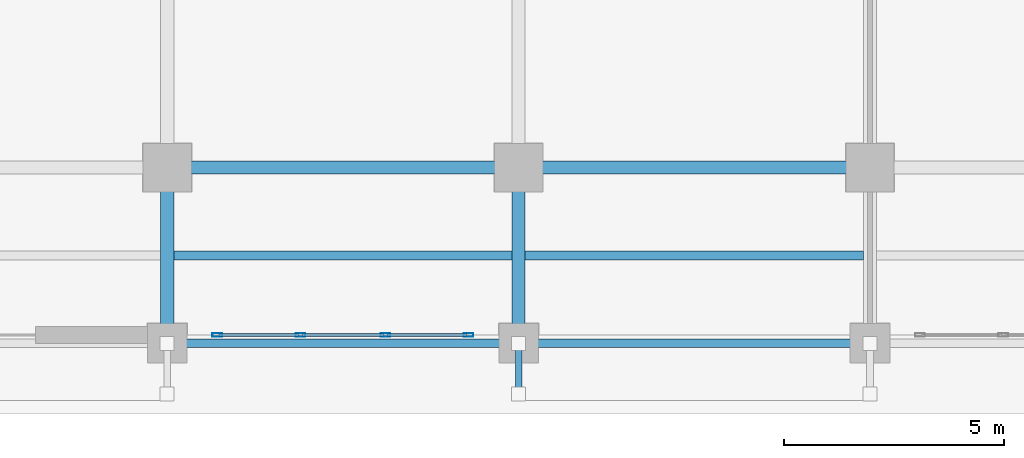
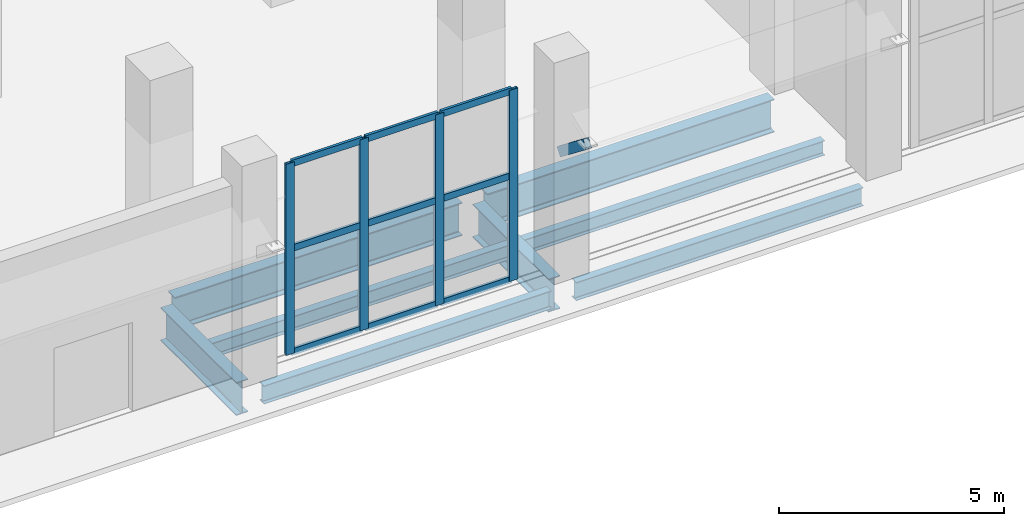
# One storey, part 6 of 19: 14 members, 8 beams, 1 element without a shape of its own.
"""IFC4 building model written with IfcOpenShell, lengths in metres."""

from ifc_helpers import new_model, si_unit, direction, frame, origin, origin_2d, place, context, subcontext, project, spatial, hollow_rectangle, i_section, extrude, material, layer, layer_set, material_profile, profile_set, type_object, element, aggregate, save


model = new_model("IFC4")

# Units and contexts
model_context = context("Model", 3, precision=1e-05, world=origin(), true_north=direction((0.0, 1.0)))
body_context = subcontext(model_context, "Body", "Model", "MODEL_VIEW")
ifc_project = project(units=[si_unit("LENGTHUNIT", "METRE"), si_unit("AREAUNIT", "SQUARE_METRE"), si_unit("VOLUMEUNIT", "CUBIC_METRE"), si_unit("PLANEANGLEUNIT", "RADIAN"), si_unit("MASSUNIT", "GRAM", prefix="KILO")], contexts=[model_context])

# Site, building, storey
site_placement = place(None, origin())
site = spatial("IfcSite", under=ifc_project, at=site_placement, CompositionType="ELEMENT")
building_placement = place(site_placement, origin())
building = spatial("IfcBuilding", under=site, at=building_placement, Name="Qianrong Seaharbour Tower", CompositionType="ELEMENT")
storey_placement = place(building_placement, origin())
storey = spatial("IfcBuildingStorey", under=building, at=storey_placement, Name="L01", CompositionType="ELEMENT", Elevation=0.0)

# Beams
ifc_material_1 = material(Name="Structural steel SN490B", Category="steel")
ifc_material_profile_1 = material_profile(ifc_material_1, i_section(OverallWidth=0.300048828125, OverallDepth=0.89990234375, WebThickness=0.01611328125, FlangeThickness=0.028076171875, FilletRadius=0.028076171875, at=origin_2d()), Name="H900x300x16x28")
ifc_profile_set_1 = profile_set([ifc_material_profile_1], Name="Structural steel SN490B")
beam_type_1 = type_object("IfcBeamType", Name="BM-G-900", PredefinedType="BEAM", material=ifc_profile_set_1)
for number, where, z_axis, x_axis, name in (
    (1, (32.820068359375, 4.0, -0.8701171875), (1.0, 0.0, 0.0), (0.0, 1.0, 0.0), "L01 Primary Girder GB G5-G6"),
    (2, (40.820068359375, 4.0, -0.8701171875), (1.0, 0.0, 0.0), (0.0, 1.0, 0.0), "L01 Primary Girder GB G6-G7"),
):
    element("IfcBeam", number, at=place(storey_placement, frame(where, z_axis=z_axis, x_axis=x_axis)), inside=storey, type_object=beam_type_1, Name=name, PredefinedType="BEAM", context=body_context, shape_type="SweptSolid", body=[
        extrude(i_section(OverallWidth=0.300048828125, OverallDepth=0.89990234375, WebThickness=0.01611328125, FlangeThickness=0.028076171875, FilletRadius=0.028076171875, at=origin_2d()), origin(), (0.0, 0.0, 1.0), 7.35986328125),
    ])
for number, where, z_axis, x_axis, name in (
    (3, (32.5, 0.320068359375, -0.8701171875), (0.0, 1.0, 0.0), (-1.0, 0.0, 0.0), "L01 Primary Girder G5 GA-GB"),
    (4, (40.5, 0.320068359375, -0.8701171875), (0.0, 1.0, 0.0), (-1.0, 0.0, 0.0), "L01 Primary Girder G6 GA-GB"),
):
    element("IfcBeam", number, at=place(storey_placement, frame(where, z_axis=z_axis, x_axis=x_axis)), inside=storey, type_object=beam_type_1, Name=name, PredefinedType="BEAM", context=body_context, shape_type="SweptSolid", body=[
        extrude(i_section(OverallWidth=0.300048828125, OverallDepth=0.89990234375, WebThickness=0.01611328125, FlangeThickness=0.028076171875, FilletRadius=0.028076171875, at=origin_2d()), origin(), (0.0, 0.0, 1.0), 3.35986328125),
    ])
ifc_material_2 = material(Name="Structural steel SN400B", Category="steel")
ifc_material_profile_2 = material_profile(ifc_material_2, i_section(OverallWidth=0.199951171875, OverallDepth=0.39990234375, WebThickness=0.008056640625, FlangeThickness=0.012939453125, FilletRadius=0.01611328125, at=origin_2d()), Name="H400x200x8x13")
ifc_profile_set_2 = profile_set([ifc_material_profile_2], Name="Structural steel SN400B")
beam_type_2 = type_object("IfcBeamType", Name="BM-J-400", PredefinedType="JOIST", material=ifc_profile_set_2)
for number, where, z_axis, x_axis, name in (
    (5, (32.64990234375, 2.0, -0.6201171875), (1.0, 0.0, 0.0), (0.0, 1.0, 0.0), "L01 Composite Floor Joist G5-G6/GA-GB"),
    (6, (40.64990234375, 2.0, -0.6201171875), (1.0, 0.0, 0.0), (0.0, 1.0, 0.0), "L01 Composite Floor Joist G6-G7/GA-GB"),
):
    element("IfcBeam", number, at=place(storey_placement, frame(where, z_axis=z_axis, x_axis=x_axis)), inside=storey, type_object=beam_type_2, Name=name, PredefinedType="JOIST", context=body_context, shape_type="SweptSolid", body=[
        extrude(i_section(OverallWidth=0.199951171875, OverallDepth=0.39990234375, WebThickness=0.008056640625, FlangeThickness=0.012939453125, FilletRadius=0.01611328125, at=origin_2d()), origin(), (0.0, 0.0, 1.0), 7.7001953125),
    ])
ifc_material_profile_3 = material_profile(ifc_material_1, i_section(OverallWidth=0.199951171875, OverallDepth=0.5, WebThickness=0.010009765625, FlangeThickness=0.01611328125, FilletRadius=0.02001953125, at=origin_2d()), Name="H500x200x10x16")
ifc_profile_set_3 = profile_set([ifc_material_profile_3], Name="Structural steel SN490B")
beam_type_3 = type_object("IfcBeamType", Name="BM-SP-500", PredefinedType="SPANDREL", material=ifc_profile_set_3)
for number, where, z_axis, x_axis, name in (
    (7, (32.820068359375, 0.0, -0.669921875), (1.0, 0.0, 0.0), (0.0, 1.0, 0.0), "L01 Spandrel Girder GA G5-G6"),
    (8, (40.820068359375, 0.0, -0.669921875), (1.0, 0.0, 0.0), (0.0, 1.0, 0.0), "L01 Spandrel Girder GA G6-G7"),
):
    element("IfcBeam", number, at=place(storey_placement, frame(where, z_axis=z_axis, x_axis=x_axis)), inside=storey, type_object=beam_type_3, Name=name, PredefinedType="SPANDREL", context=body_context, shape_type="SweptSolid", body=[
        extrude(i_section(OverallWidth=0.199951171875, OverallDepth=0.5, WebThickness=0.010009765625, FlangeThickness=0.01611328125, FilletRadius=0.02001953125, at=origin_2d()), origin(), (0.0, 0.0, 1.0), 7.35986328125),
    ])

# Curtain wall, members
ifc_material_3 = material(Name="Anodised aluminium 6063-T6 and laminated low-e glass", Category="aluminium")
ifc_layer = layer(ifc_material_3, 0.219970703125)
ifc_layer_set = layer_set([ifc_layer], Name="Anodised aluminium 6063-T6 and laminated low-e glass")
curtain_wall_type = type_object("IfcCurtainWallType", Name="CW-SYS-1", PredefinedType="NOTDEFINED", material=ifc_layer_set)
curtain_wall_placement = place(storey_placement, origin())
curtain_wall = element("IfcCurtainWall", 9, at=curtain_wall_placement, inside=storey, type_object=curtain_wall_type, Name="L01 Waterfront Colonnade Curtain Wall Bay 3", PredefinedType="NOTDEFINED")
ifc_material_4 = material(Name="Extruded aluminium 6063-T6", Category="aluminium")
ifc_material_profile_4 = material_profile(ifc_material_4, hollow_rectangle(XDim=0.080078125, YDim=0.219970703125, WallThickness=0.0048828125, at=origin_2d()), Name="ALU-MUL-220x80x5")
ifc_profile_set_4 = profile_set([ifc_material_profile_4], Name="Extruded aluminium 6063-T6")
member_type_1 = type_object("IfcMemberType", Name="CW-MUL-220", PredefinedType="MULLION", material=ifc_profile_set_4)
member_1_placement = place(storey_placement, frame((39.360107421875, 0.18994140625, 0.0), z_axis=(0.0, 0.0, 1.0), x_axis=(0.0, -1.0, 0.0)))
member_1 = element("IfcMember", 10, at=member_1_placement, type_object=member_type_1, Name="CW-1 mullion 1", PredefinedType="MULLION", context=body_context, shape_type="SweptSolid", body=[
    extrude(hollow_rectangle(XDim=0.080078125, YDim=0.219970703125, WallThickness=0.0048828125, at=origin_2d()), origin(), (0.0, 0.0, 1.0), 5.179931640625),
])
member_2_placement = place(storey_placement, frame((37.466552734375, 0.18994140625, 0.0), z_axis=(0.0, 0.0, 1.0), x_axis=(0.0, -1.0, 0.0)))
member_2 = element("IfcMember", 11, at=member_2_placement, type_object=member_type_1, Name="CW-1 mullion 2", PredefinedType="MULLION", context=body_context, shape_type="SweptSolid", body=[
    extrude(hollow_rectangle(XDim=0.080078125, YDim=0.219970703125, WallThickness=0.0048828125, at=origin_2d()), origin(), (0.0, 0.0, 1.0), 5.179931640625),
])
member_3_placement = place(storey_placement, frame((35.533447265625, 0.18994140625, 0.0), z_axis=(0.0, 0.0, 1.0), x_axis=(0.0, -1.0, 0.0)))
member_3 = element("IfcMember", 12, at=member_3_placement, type_object=member_type_1, Name="CW-1 mullion 3", PredefinedType="MULLION", context=body_context, shape_type="SweptSolid", body=[
    extrude(hollow_rectangle(XDim=0.080078125, YDim=0.219970703125, WallThickness=0.0048828125, at=origin_2d()), origin(), (0.0, 0.0, 1.0), 5.179931640625),
])
member_4_placement = place(storey_placement, frame((33.639892578125, 0.18994140625, 0.0), z_axis=(0.0, 0.0, 1.0), x_axis=(0.0, -1.0, 0.0)))
member_4 = element("IfcMember", 13, at=member_4_placement, type_object=member_type_1, Name="CW-1 mullion 4", PredefinedType="MULLION", context=body_context, shape_type="SweptSolid", body=[
    extrude(hollow_rectangle(XDim=0.080078125, YDim=0.219970703125, WallThickness=0.0048828125, at=origin_2d()), origin(), (0.0, 0.0, 1.0), 5.179931640625),
])
ifc_material_profile_5 = material_profile(ifc_material_4, hollow_rectangle(XDim=0.070068359375, YDim=0.179931640625, WallThickness=0.00390625, at=origin_2d()), Name="ALU-TRN-180x70x4")
ifc_profile_set_5 = profile_set([ifc_material_profile_5], Name="Extruded aluminium 6063-T6")
member_type_2 = type_object("IfcMemberType", Name="CW-TRN-180", PredefinedType="USERDEFINED", material=ifc_profile_set_5)
member_5_placement = place(storey_placement, frame((39.320068359375, 0.18994140625, 0.034912109375), z_axis=(-1.0, 0.0, 0.0), x_axis=(0.0, -1.0, 0.0)))
member_5 = element("IfcMember", 14, at=member_5_placement, type_object=member_type_2, Name="CW-1 transom 1.1", ObjectType="TRANSOM", PredefinedType="USERDEFINED", context=body_context, shape_type="SweptSolid", body=[
    extrude(hollow_rectangle(XDim=0.070068359375, YDim=0.179931640625, WallThickness=0.00390625, at=origin_2d()), origin(), (0.0, 0.0, 1.0), 1.8134765625),
])
member_6_placement = place(storey_placement, frame((39.320068359375, 0.18994140625, 2.84912109375), z_axis=(-1.0, 0.0, 0.0), x_axis=(0.0, -1.0, 0.0)))
member_6 = element("IfcMember", 15, at=member_6_placement, type_object=member_type_2, Name="CW-1 transom 1.2", ObjectType="TRANSOM", PredefinedType="USERDEFINED", context=body_context, shape_type="SweptSolid", body=[
    extrude(hollow_rectangle(XDim=0.070068359375, YDim=0.179931640625, WallThickness=0.00390625, at=origin_2d()), origin(), (0.0, 0.0, 1.0), 1.8134765625),
])
member_7_placement = place(storey_placement, frame((39.320068359375, 0.18994140625, 5.14501953125), z_axis=(-1.0, 0.0, 0.0), x_axis=(0.0, -1.0, 0.0)))
member_7 = element("IfcMember", 16, at=member_7_placement, type_object=member_type_2, Name="CW-1 transom 1.3", ObjectType="TRANSOM", PredefinedType="USERDEFINED", context=body_context, shape_type="SweptSolid", body=[
    extrude(hollow_rectangle(XDim=0.070068359375, YDim=0.179931640625, WallThickness=0.00390625, at=origin_2d()), origin(), (0.0, 0.0, 1.0), 1.8134765625),
])
member_8_placement = place(storey_placement, frame((37.4267578125, 0.18994140625, 0.034912109375), z_axis=(-1.0, 0.0, 0.0), x_axis=(0.0, -1.0, 0.0)))
member_8 = element("IfcMember", 17, at=member_8_placement, type_object=member_type_2, Name="CW-1 transom 2.1", ObjectType="TRANSOM", PredefinedType="USERDEFINED", context=body_context, shape_type="SweptSolid", body=[
    extrude(hollow_rectangle(XDim=0.070068359375, YDim=0.179931640625, WallThickness=0.00390625, at=origin_2d()), origin(), (0.0, 0.0, 1.0), 1.853515625),
])
member_9_placement = place(storey_placement, frame((37.4267578125, 0.18994140625, 2.84912109375), z_axis=(-1.0, 0.0, 0.0), x_axis=(0.0, -1.0, 0.0)))
member_9 = element("IfcMember", 18, at=member_9_placement, type_object=member_type_2, Name="CW-1 transom 2.2", ObjectType="TRANSOM", PredefinedType="USERDEFINED", context=body_context, shape_type="SweptSolid", body=[
    extrude(hollow_rectangle(XDim=0.070068359375, YDim=0.179931640625, WallThickness=0.00390625, at=origin_2d()), origin(), (0.0, 0.0, 1.0), 1.853515625),
])
member_10_placement = place(storey_placement, frame((37.4267578125, 0.18994140625, 5.14501953125), z_axis=(-1.0, 0.0, 0.0), x_axis=(0.0, -1.0, 0.0)))
member_10 = element("IfcMember", 19, at=member_10_placement, type_object=member_type_2, Name="CW-1 transom 2.3", ObjectType="TRANSOM", PredefinedType="USERDEFINED", context=body_context, shape_type="SweptSolid", body=[
    extrude(hollow_rectangle(XDim=0.070068359375, YDim=0.179931640625, WallThickness=0.00390625, at=origin_2d()), origin(), (0.0, 0.0, 1.0), 1.853515625),
])
member_11_placement = place(storey_placement, frame((35.493408203125, 0.18994140625, 0.034912109375), z_axis=(-1.0, 0.0, 0.0), x_axis=(0.0, -1.0, 0.0)))
member_11 = element("IfcMember", 20, at=member_11_placement, type_object=member_type_2, Name="CW-1 transom 3.1", ObjectType="TRANSOM", PredefinedType="USERDEFINED", context=body_context, shape_type="SweptSolid", body=[
    extrude(hollow_rectangle(XDim=0.070068359375, YDim=0.179931640625, WallThickness=0.00390625, at=origin_2d()), origin(), (0.0, 0.0, 1.0), 1.8134765625),
])
member_12_placement = place(storey_placement, frame((35.493408203125, 0.18994140625, 2.84912109375), z_axis=(-1.0, 0.0, 0.0), x_axis=(0.0, -1.0, 0.0)))
member_12 = element("IfcMember", 21, at=member_12_placement, type_object=member_type_2, Name="CW-1 transom 3.2", ObjectType="TRANSOM", PredefinedType="USERDEFINED", context=body_context, shape_type="SweptSolid", body=[
    extrude(hollow_rectangle(XDim=0.070068359375, YDim=0.179931640625, WallThickness=0.00390625, at=origin_2d()), origin(), (0.0, 0.0, 1.0), 1.8134765625),
])
member_13_placement = place(storey_placement, frame((35.493408203125, 0.18994140625, 5.14501953125), z_axis=(-1.0, 0.0, 0.0), x_axis=(0.0, -1.0, 0.0)))
member_13 = element("IfcMember", 22, at=member_13_placement, type_object=member_type_2, Name="CW-1 transom 3.3", ObjectType="TRANSOM", PredefinedType="USERDEFINED", context=body_context, shape_type="SweptSolid", body=[
    extrude(hollow_rectangle(XDim=0.070068359375, YDim=0.179931640625, WallThickness=0.00390625, at=origin_2d()), origin(), (0.0, 0.0, 1.0), 1.8134765625),
])
aggregate(curtain_wall, [member_1, member_2, member_3, member_4, member_5, member_6, member_7, member_8, member_9, member_10, member_11, member_12, member_13])

# Member
ifc_material_profile_6 = material_profile(ifc_material_2, hollow_rectangle(XDim=0.14990234375, YDim=0.25, WallThickness=0.009033203125, at=origin_2d()), Name="RHS250x150x9")
ifc_profile_set_6 = profile_set([ifc_material_profile_6], Name="Structural steel SN400B")
member_type_3 = type_object("IfcMemberType", Name="MEM-STRUT-250", PredefinedType="STRUT", material=ifc_profile_set_6)
member_14_placement = place(storey_placement, frame((40.5, 0.0, 3.199951171875), z_axis=(0.0, -0.78743090963, 0.616402922251), x_axis=(1.0, 0.0, 0.0)))
element("IfcMember", 23, at=member_14_placement, inside=storey, type_object=member_type_3, Name="Colonnade Canopy Support Strut 3W", PredefinedType="STRUT", context=body_context, shape_type="SweptSolid", body=[
    extrude(hollow_rectangle(XDim=0.14990234375, YDim=0.25, WallThickness=0.009033203125, at=origin_2d()), origin(), (0.0, 0.0, 1.0), 1.460205078125),
])

save(model, "model.ifc")
